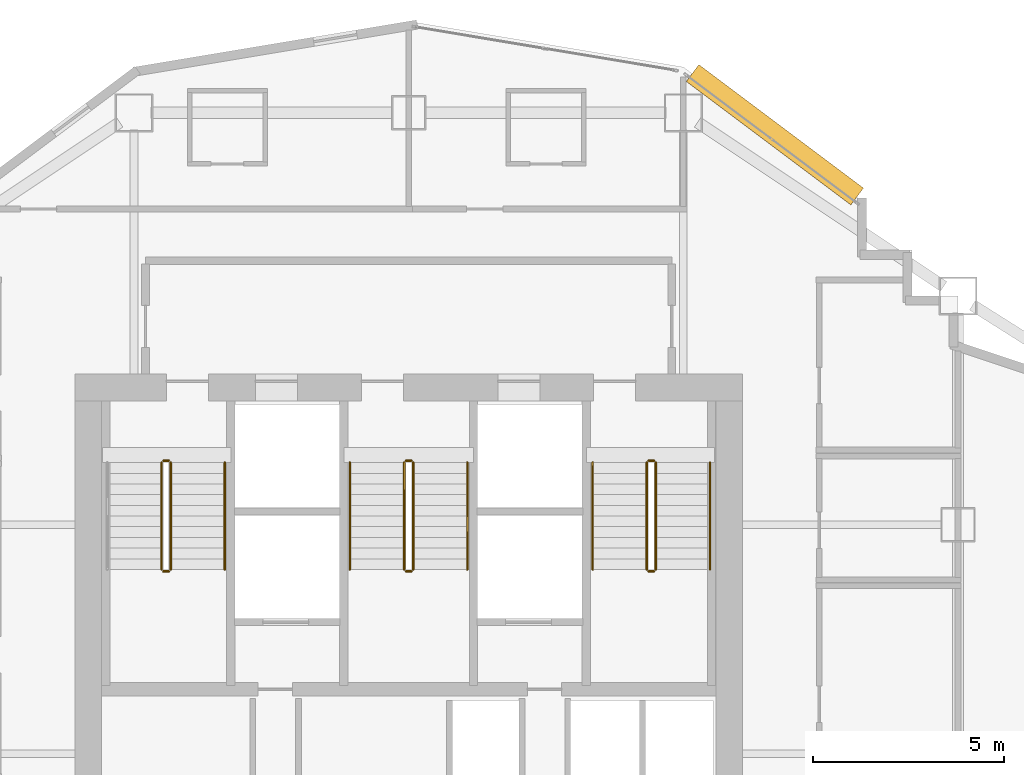
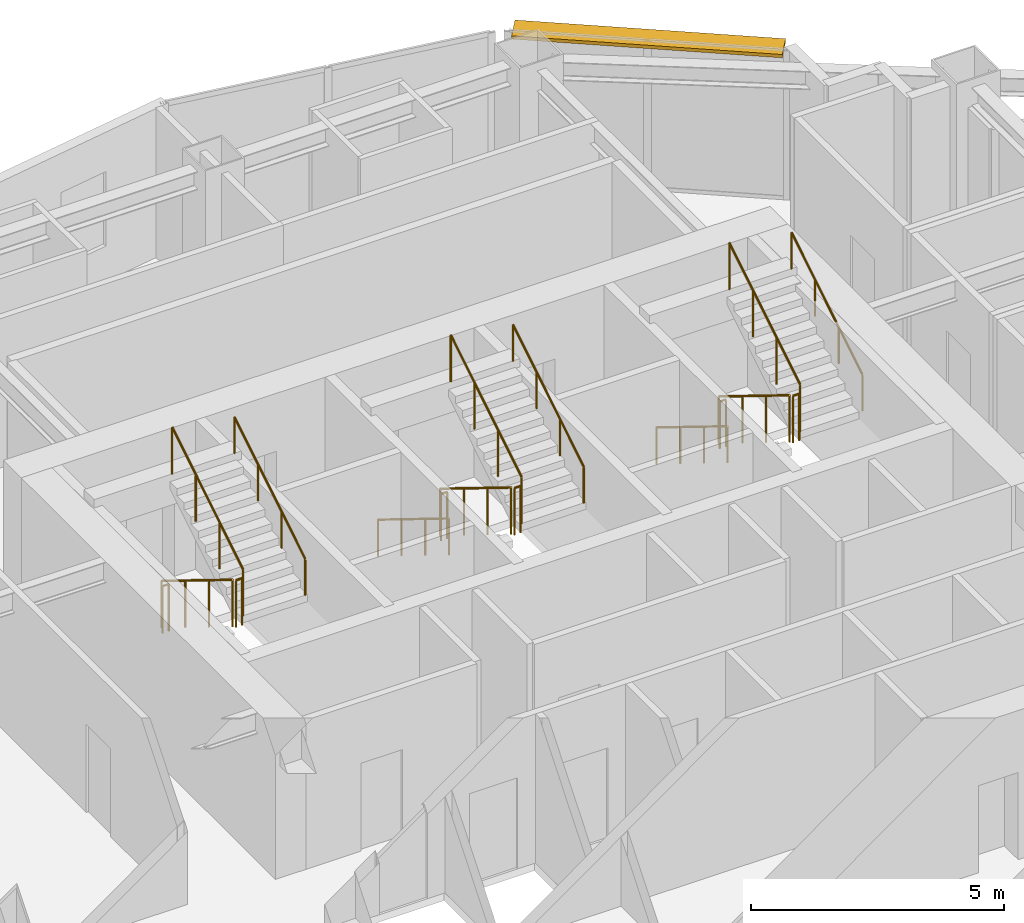
# One storey, part 14 of 14: 17 railings, 1 shading device.
"""IFC4 building model written with IfcOpenShell, lengths in metres."""

from ifc_helpers import new_model, si_unit, direction, frame, origin, origin_2d, place, context, subcontext, project, spatial, rectangle, circle, extrude, material, layer, layer_set, type_object, element, save


model = new_model("IFC4")

# Units and contexts
model_context = context("Model", 3, precision=1e-05, world=origin(), true_north=direction((0.0, 1.0)))
body_context = subcontext(model_context, "Body", "Model", "MODEL_VIEW")
ifc_project = project(units=[si_unit("LENGTHUNIT", "METRE"), si_unit("AREAUNIT", "SQUARE_METRE"), si_unit("VOLUMEUNIT", "CUBIC_METRE"), si_unit("PLANEANGLEUNIT", "RADIAN"), si_unit("MASSUNIT", "GRAM", prefix="KILO")], contexts=[model_context])

# Site, building, storey
site_placement = place(None, origin())
site = spatial("IfcSite", under=ifc_project, at=site_placement, CompositionType="ELEMENT")
building_placement = place(site_placement, origin())
building = spatial("IfcBuilding", under=site, at=building_placement, Name="Haolan Belvedere Tower", CompositionType="ELEMENT")
storey_placement = place(building_placement, frame((0.0, 0.0, 148.60009765625)))
storey = spatial("IfcBuildingStorey", under=building, at=storey_placement, Name="L37", CompositionType="ELEMENT", Elevation=148.60009765625)

# Railings
ifc_material_1 = material(Name="Brushed stainless steel 304", Category="steel")
railing_type_1 = type_object("IfcRailingType", Name="RL-STAIR-GRD-1150", PredefinedType="GUARDRAIL", material=ifc_material_1)
railing_1_placement = place(storey_placement, frame((31.919921875, 41.22998046875, 0.172607421875)))
element("IfcRailing", 1, at=railing_1_placement, inside=storey, type_object=railing_type_1, Name="L37 ST1 stair guard 1", PredefinedType="GUARDRAIL", context=body_context, shape_type="SweptSolid", body=[
    extrude(circle(Radius=0.02392578125, at=origin_2d()), frame((0.0, 0.0, 1.1259765625), z_axis=(0.0, -0.851089632645, 0.525020415988), x_axis=(1.0, 0.0, 0.0)), (0.0, 0.0, 1.0), 3.2900390625),
    extrude(circle(Radius=0.02099609375, at=origin_2d()), origin(), (0.0, 0.0, 1.0), 1.101806640625),
    extrude(circle(Radius=0.02099609375, at=origin_2d()), frame((0.0, -0.933349609375, 0.57568359375)), (0.0, 0.0, 1.0), 1.101806640625),
    extrude(circle(Radius=0.02099609375, at=origin_2d()), frame((0.0, -1.86669921875, 1.151611328125)), (0.0, 0.0, 1.0), 1.101806640625),
    extrude(circle(Radius=0.02099609375, at=origin_2d()), frame((0.0, -2.800048828125, 1.727294921875)), (0.0, 0.0, 1.0), 1.101806640625),
])
railing_2_placement = place(storey_placement, frame((31.969970703125, 38.3798828125, 1.89990234375)))
element("IfcRailing", 2, at=railing_2_placement, inside=storey, type_object=railing_type_1, Name="L37 ST1 stair guard 2", PredefinedType="GUARDRAIL", context=body_context, shape_type="SweptSolid", body=[
    extrude(circle(Radius=0.02392578125, at=origin_2d()), frame((0.0, 0.0, 1.1259765625), z_axis=(1.0, 0.0, 0.0), x_axis=(0.0, 1.0, 0.0)), (0.0, 0.0, 1.0), 0.14013671875),
    extrude(circle(Radius=0.02099609375, at=origin_2d()), origin(), (0.0, 0.0, 1.0), 1.101806640625),
    extrude(circle(Radius=0.02099609375, at=origin_2d()), frame((0.14013671875, 0.0, 0.0)), (0.0, 0.0, 1.0), 1.101806640625),
])
railing_3_placement = place(storey_placement, frame((32.159912109375, 38.429931640625, 2.072509765625)))
element("IfcRailing", 3, at=railing_3_placement, inside=storey, type_object=railing_type_1, Name="L37 ST1 stair guard 3", PredefinedType="GUARDRAIL", context=body_context, shape_type="SweptSolid", body=[
    extrude(circle(Radius=0.02392578125, at=origin_2d()), frame((0.0, 0.0, 1.1259765625), z_axis=(0.0, 0.851089632645, 0.525020415988), x_axis=(-1.0, 0.0, 0.0)), (0.0, 0.0, 1.0), 3.2900390625),
    extrude(circle(Radius=0.02099609375, at=origin_2d()), origin(), (0.0, 0.0, 1.0), 1.101806640625),
    extrude(circle(Radius=0.02099609375, at=origin_2d()), frame((0.0, 0.933349609375, 0.57568359375)), (0.0, 0.0, 1.0), 1.101806640625),
    extrude(circle(Radius=0.02099609375, at=origin_2d()), frame((0.0, 1.86669921875, 1.151611328125)), (0.0, 0.0, 1.0), 1.101806640625),
    extrude(circle(Radius=0.02099609375, at=origin_2d()), frame((0.0, 2.800048828125, 1.727294921875)), (0.0, 0.0, 1.0), 1.101806640625),
])
railing_4_placement = place(storey_placement, frame((31.969970703125, 41.280029296875, 0.0)))
element("IfcRailing", 4, at=railing_4_placement, inside=storey, type_object=railing_type_1, Name="L37 ST1 stair guard 4", PredefinedType="GUARDRAIL", context=body_context, shape_type="SweptSolid", body=[
    extrude(circle(Radius=0.02392578125, at=origin_2d()), frame((0.0, 0.0, 1.1259765625), z_axis=(1.0, 0.0, 0.0), x_axis=(0.0, 1.0, 0.0)), (0.0, 0.0, 1.0), 0.14013671875),
    extrude(circle(Radius=0.02099609375, at=origin_2d()), origin(), (0.0, 0.0, 1.0), 1.101806640625),
    extrude(circle(Radius=0.02099609375, at=origin_2d()), frame((0.14013671875, 0.0, 0.0)), (0.0, 0.0, 1.0), 1.101806640625),
])
railing_5_placement = place(storey_placement, frame((38.280029296875, 41.22998046875, 0.172607421875)))
element("IfcRailing", 5, at=railing_5_placement, inside=storey, type_object=railing_type_1, Name="L37 ST3 stair guard 1", PredefinedType="GUARDRAIL", context=body_context, shape_type="SweptSolid", body=[
    extrude(circle(Radius=0.02392578125, at=origin_2d()), frame((0.0, 0.0, 1.1259765625), z_axis=(0.0, -0.851089632645, 0.525020415988), x_axis=(1.0, 0.0, 0.0)), (0.0, 0.0, 1.0), 3.2900390625),
    extrude(circle(Radius=0.02099609375, at=origin_2d()), origin(), (0.0, 0.0, 1.0), 1.101806640625),
    extrude(circle(Radius=0.02099609375, at=origin_2d()), frame((0.0, -0.933349609375, 0.57568359375)), (0.0, 0.0, 1.0), 1.101806640625),
    extrude(circle(Radius=0.02099609375, at=origin_2d()), frame((0.0, -1.86669921875, 1.151611328125)), (0.0, 0.0, 1.0), 1.101806640625),
    extrude(circle(Radius=0.02099609375, at=origin_2d()), frame((0.0, -2.800048828125, 1.727294921875)), (0.0, 0.0, 1.0), 1.101806640625),
])
railing_6_placement = place(storey_placement, frame((38.330078125, 38.3798828125, 1.89990234375)))
element("IfcRailing", 6, at=railing_6_placement, inside=storey, type_object=railing_type_1, Name="L37 ST3 stair guard 2", PredefinedType="GUARDRAIL", context=body_context, shape_type="SweptSolid", body=[
    extrude(circle(Radius=0.02392578125, at=origin_2d()), frame((0.0, 0.0, 1.1259765625), z_axis=(1.0, 0.0, 0.0), x_axis=(0.0, 1.0, 0.0)), (0.0, 0.0, 1.0), 0.139892578125),
    extrude(circle(Radius=0.02099609375, at=origin_2d()), origin(), (0.0, 0.0, 1.0), 1.101806640625),
    extrude(circle(Radius=0.02099609375, at=origin_2d()), frame((0.139892578125, 0.0, 0.0)), (0.0, 0.0, 1.0), 1.101806640625),
])
railing_7_placement = place(storey_placement, frame((38.52001953125, 38.429931640625, 2.072509765625)))
element("IfcRailing", 7, at=railing_7_placement, inside=storey, type_object=railing_type_1, Name="L37 ST3 stair guard 3", PredefinedType="GUARDRAIL", context=body_context, shape_type="SweptSolid", body=[
    extrude(circle(Radius=0.02392578125, at=origin_2d()), frame((0.0, 0.0, 1.1259765625), z_axis=(0.0, 0.851089632645, 0.525020415988), x_axis=(-1.0, 0.0, 0.0)), (0.0, 0.0, 1.0), 3.2900390625),
    extrude(circle(Radius=0.02099609375, at=origin_2d()), origin(), (0.0, 0.0, 1.0), 1.101806640625),
    extrude(circle(Radius=0.02099609375, at=origin_2d()), frame((0.0, 0.933349609375, 0.57568359375)), (0.0, 0.0, 1.0), 1.101806640625),
    extrude(circle(Radius=0.02099609375, at=origin_2d()), frame((0.0, 1.86669921875, 1.151611328125)), (0.0, 0.0, 1.0), 1.101806640625),
    extrude(circle(Radius=0.02099609375, at=origin_2d()), frame((0.0, 2.800048828125, 1.727294921875)), (0.0, 0.0, 1.0), 1.101806640625),
])
railing_8_placement = place(storey_placement, frame((38.330078125, 41.280029296875, 0.0)))
element("IfcRailing", 8, at=railing_8_placement, inside=storey, type_object=railing_type_1, Name="L37 ST3 stair guard 4", PredefinedType="GUARDRAIL", context=body_context, shape_type="SweptSolid", body=[
    extrude(circle(Radius=0.02392578125, at=origin_2d()), frame((0.0, 0.0, 1.1259765625), z_axis=(1.0, 0.0, 0.0), x_axis=(0.0, 1.0, 0.0)), (0.0, 0.0, 1.0), 0.139892578125),
    extrude(circle(Radius=0.02099609375, at=origin_2d()), origin(), (0.0, 0.0, 1.0), 1.101806640625),
    extrude(circle(Radius=0.02099609375, at=origin_2d()), frame((0.139892578125, 0.0, 0.0)), (0.0, 0.0, 1.0), 1.101806640625),
])
railing_9_placement = place(storey_placement, frame((44.639892578125, 41.22998046875, 0.172607421875)))
element("IfcRailing", 9, at=railing_9_placement, inside=storey, type_object=railing_type_1, Name="L37 ST2 stair guard 1", PredefinedType="GUARDRAIL", context=body_context, shape_type="SweptSolid", body=[
    extrude(circle(Radius=0.02392578125, at=origin_2d()), frame((0.0, 0.0, 1.1259765625), z_axis=(0.0, -0.851089632645, 0.525020415988), x_axis=(1.0, 0.0, 0.0)), (0.0, 0.0, 1.0), 3.2900390625),
    extrude(circle(Radius=0.02099609375, at=origin_2d()), origin(), (0.0, 0.0, 1.0), 1.101806640625),
    extrude(circle(Radius=0.02099609375, at=origin_2d()), frame((0.0, -0.933349609375, 0.57568359375)), (0.0, 0.0, 1.0), 1.101806640625),
    extrude(circle(Radius=0.02099609375, at=origin_2d()), frame((0.0, -1.86669921875, 1.151611328125)), (0.0, 0.0, 1.0), 1.101806640625),
    extrude(circle(Radius=0.02099609375, at=origin_2d()), frame((0.0, -2.800048828125, 1.727294921875)), (0.0, 0.0, 1.0), 1.101806640625),
])
railing_10_placement = place(storey_placement, frame((44.68994140625, 38.3798828125, 1.89990234375)))
element("IfcRailing", 10, at=railing_10_placement, inside=storey, type_object=railing_type_1, Name="L37 ST2 stair guard 2", PredefinedType="GUARDRAIL", context=body_context, shape_type="SweptSolid", body=[
    extrude(circle(Radius=0.02392578125, at=origin_2d()), frame((0.0, 0.0, 1.1259765625), z_axis=(1.0, 0.0, 0.0), x_axis=(0.0, 1.0, 0.0)), (0.0, 0.0, 1.0), 0.14013671875),
    extrude(circle(Radius=0.02099609375, at=origin_2d()), origin(), (0.0, 0.0, 1.0), 1.101806640625),
    extrude(circle(Radius=0.02099609375, at=origin_2d()), frame((0.14013671875, 0.0, 0.0)), (0.0, 0.0, 1.0), 1.101806640625),
])
railing_11_placement = place(storey_placement, frame((44.8798828125, 38.429931640625, 2.072509765625)))
element("IfcRailing", 11, at=railing_11_placement, inside=storey, type_object=railing_type_1, Name="L37 ST2 stair guard 3", PredefinedType="GUARDRAIL", context=body_context, shape_type="SweptSolid", body=[
    extrude(circle(Radius=0.02392578125, at=origin_2d()), frame((0.0, 0.0, 1.1259765625), z_axis=(0.0, 0.851089632645, 0.525020415988), x_axis=(-1.0, 0.0, 0.0)), (0.0, 0.0, 1.0), 3.2900390625),
    extrude(circle(Radius=0.02099609375, at=origin_2d()), origin(), (0.0, 0.0, 1.0), 1.101806640625),
    extrude(circle(Radius=0.02099609375, at=origin_2d()), frame((0.0, 0.933349609375, 0.57568359375)), (0.0, 0.0, 1.0), 1.101806640625),
    extrude(circle(Radius=0.02099609375, at=origin_2d()), frame((0.0, 1.86669921875, 1.151611328125)), (0.0, 0.0, 1.0), 1.101806640625),
    extrude(circle(Radius=0.02099609375, at=origin_2d()), frame((0.0, 2.800048828125, 1.727294921875)), (0.0, 0.0, 1.0), 1.101806640625),
])
railing_12_placement = place(storey_placement, frame((44.68994140625, 41.280029296875, 0.0)))
element("IfcRailing", 12, at=railing_12_placement, inside=storey, type_object=railing_type_1, Name="L37 ST2 stair guard 4", PredefinedType="GUARDRAIL", context=body_context, shape_type="SweptSolid", body=[
    extrude(circle(Radius=0.02392578125, at=origin_2d()), frame((0.0, 0.0, 1.1259765625), z_axis=(1.0, 0.0, 0.0), x_axis=(0.0, 1.0, 0.0)), (0.0, 0.0, 1.0), 0.14013671875),
    extrude(circle(Radius=0.02099609375, at=origin_2d()), origin(), (0.0, 0.0, 1.0), 1.101806640625),
    extrude(circle(Radius=0.02099609375, at=origin_2d()), frame((0.14013671875, 0.0, 0.0)), (0.0, 0.0, 1.0), 1.101806640625),
])
railing_type_2 = type_object("IfcRailingType", Name="RL-STAIR-HND-900", PredefinedType="HANDRAIL", material=ifc_material_1)
railing_13_placement = place(storey_placement, frame((33.580078125, 38.429931640625, 2.072509765625)))
element("IfcRailing", 13, at=railing_13_placement, inside=storey, type_object=railing_type_2, Name="L37 ST1 stair handrail 2", PredefinedType="HANDRAIL", context=body_context, shape_type="SweptSolid", body=[
    extrude(circle(Radius=0.02392578125, at=origin_2d()), frame((0.0, 0.0, 0.8759765625), z_axis=(0.0, 0.851089632645, 0.525020415988), x_axis=(-1.0, 0.0, 0.0)), (0.0, 0.0, 1.0), 3.2900390625),
    extrude(circle(Radius=0.02099609375, at=origin_2d()), origin(), (0.0, 0.0, 1.0), 0.851806640625),
    extrude(circle(Radius=0.02099609375, at=origin_2d()), frame((0.0, 0.933349609375, 0.57568359375)), (0.0, 0.0, 1.0), 0.851806640625),
    extrude(circle(Radius=0.02099609375, at=origin_2d()), frame((0.0, 1.86669921875, 1.151611328125)), (0.0, 0.0, 1.0), 0.851806640625),
    extrude(circle(Radius=0.02099609375, at=origin_2d()), frame((0.0, 2.800048828125, 1.727294921875)), (0.0, 0.0, 1.0), 0.851806640625),
])
railing_14_placement = place(storey_placement, frame((36.860107421875, 41.22998046875, 0.172607421875)))
element("IfcRailing", 14, at=railing_14_placement, inside=storey, type_object=railing_type_2, Name="L37 ST3 stair handrail 1", PredefinedType="HANDRAIL", context=body_context, shape_type="SweptSolid", body=[
    extrude(circle(Radius=0.02392578125, at=origin_2d()), frame((0.0, 0.0, 0.8759765625), z_axis=(0.0, -0.851089632645, 0.525020415988), x_axis=(1.0, 0.0, 0.0)), (0.0, 0.0, 1.0), 3.2900390625),
    extrude(circle(Radius=0.02099609375, at=origin_2d()), origin(), (0.0, 0.0, 1.0), 0.851806640625),
    extrude(circle(Radius=0.02099609375, at=origin_2d()), frame((0.0, -0.933349609375, 0.57568359375)), (0.0, 0.0, 1.0), 0.851806640625),
    extrude(circle(Radius=0.02099609375, at=origin_2d()), frame((0.0, -1.86669921875, 1.151611328125)), (0.0, 0.0, 1.0), 0.851806640625),
    extrude(circle(Radius=0.02099609375, at=origin_2d()), frame((0.0, -2.800048828125, 1.727294921875)), (0.0, 0.0, 1.0), 0.851806640625),
])
railing_15_placement = place(storey_placement, frame((39.93994140625, 38.429931640625, 2.072509765625)))
element("IfcRailing", 15, at=railing_15_placement, inside=storey, type_object=railing_type_2, Name="L37 ST3 stair handrail 2", PredefinedType="HANDRAIL", context=body_context, shape_type="SweptSolid", body=[
    extrude(circle(Radius=0.02392578125, at=origin_2d()), frame((0.0, 0.0, 0.8759765625), z_axis=(0.0, 0.851089632645, 0.525020415988), x_axis=(-1.0, 0.0, 0.0)), (0.0, 0.0, 1.0), 3.2900390625),
    extrude(circle(Radius=0.02099609375, at=origin_2d()), origin(), (0.0, 0.0, 1.0), 0.851806640625),
    extrude(circle(Radius=0.02099609375, at=origin_2d()), frame((0.0, 0.933349609375, 0.57568359375)), (0.0, 0.0, 1.0), 0.851806640625),
    extrude(circle(Radius=0.02099609375, at=origin_2d()), frame((0.0, 1.86669921875, 1.151611328125)), (0.0, 0.0, 1.0), 0.851806640625),
    extrude(circle(Radius=0.02099609375, at=origin_2d()), frame((0.0, 2.800048828125, 1.727294921875)), (0.0, 0.0, 1.0), 0.851806640625),
])
railing_16_placement = place(storey_placement, frame((43.219970703125, 41.22998046875, 0.172607421875)))
element("IfcRailing", 16, at=railing_16_placement, inside=storey, type_object=railing_type_2, Name="L37 ST2 stair handrail 1", PredefinedType="HANDRAIL", context=body_context, shape_type="SweptSolid", body=[
    extrude(circle(Radius=0.02392578125, at=origin_2d()), frame((0.0, 0.0, 0.8759765625), z_axis=(0.0, -0.851089632645, 0.525020415988), x_axis=(1.0, 0.0, 0.0)), (0.0, 0.0, 1.0), 3.2900390625),
    extrude(circle(Radius=0.02099609375, at=origin_2d()), origin(), (0.0, 0.0, 1.0), 0.851806640625),
    extrude(circle(Radius=0.02099609375, at=origin_2d()), frame((0.0, -0.933349609375, 0.57568359375)), (0.0, 0.0, 1.0), 0.851806640625),
    extrude(circle(Radius=0.02099609375, at=origin_2d()), frame((0.0, -1.86669921875, 1.151611328125)), (0.0, 0.0, 1.0), 0.851806640625),
    extrude(circle(Radius=0.02099609375, at=origin_2d()), frame((0.0, -2.800048828125, 1.727294921875)), (0.0, 0.0, 1.0), 0.851806640625),
])
railing_17_placement = place(storey_placement, frame((46.300048828125, 38.429931640625, 2.072509765625)))
element("IfcRailing", 17, at=railing_17_placement, inside=storey, type_object=railing_type_2, Name="L37 ST2 stair handrail 2", PredefinedType="HANDRAIL", context=body_context, shape_type="SweptSolid", body=[
    extrude(circle(Radius=0.02392578125, at=origin_2d()), frame((0.0, 0.0, 0.8759765625), z_axis=(0.0, 0.851089632645, 0.525020415988), x_axis=(-1.0, 0.0, 0.0)), (0.0, 0.0, 1.0), 3.2900390625),
    extrude(circle(Radius=0.02099609375, at=origin_2d()), origin(), (0.0, 0.0, 1.0), 0.851806640625),
    extrude(circle(Radius=0.02099609375, at=origin_2d()), frame((0.0, 0.933349609375, 0.57568359375)), (0.0, 0.0, 1.0), 0.851806640625),
    extrude(circle(Radius=0.02099609375, at=origin_2d()), frame((0.0, 1.86669921875, 1.151611328125)), (0.0, 0.0, 1.0), 0.851806640625),
    extrude(circle(Radius=0.02099609375, at=origin_2d()), frame((0.0, 2.800048828125, 1.727294921875)), (0.0, 0.0, 1.0), 0.851806640625),
])

# Shading device
ifc_material_2 = material(Name="Anodised champagne-silver aluminium 6063-T6", Category="aluminium")
ifc_layer = layer(ifc_material_2, 0.080078125, Name="Anodised champagne-silver aluminium 6063-T6")
ifc_layer_set = layer_set([ifc_layer], Name="Anodised champagne-silver aluminium 6063-T6")
shading_device_type = type_object("IfcShadingDeviceType", Name="SHD-SUN-550", PredefinedType="USERDEFINED", material=ifc_layer_set)
shading_device_placement = place(storey_placement, frame((47.999755859375, 49.8251953125, 3.499755859375), z_axis=(0.0, 0.0, 1.0), x_axis=(-0.800009400027, 0.599987466426, 0.0)))
element("IfcShadingDevice", 18, at=shading_device_placement, inside=storey, type_object=shading_device_type, Name="L37 pale-metal horizontal SUNSHADE band 26.1", ObjectType="SUNSHADE", PredefinedType="USERDEFINED", context=body_context, shape_type="SweptSolid", body=[
    extrude(rectangle(XDim=5.390625, YDim=0.550048828125, at=origin_2d()), origin(), (0.0, 0.0, 1.0), 0.080078125),
])

save(model, "model.ifc")
